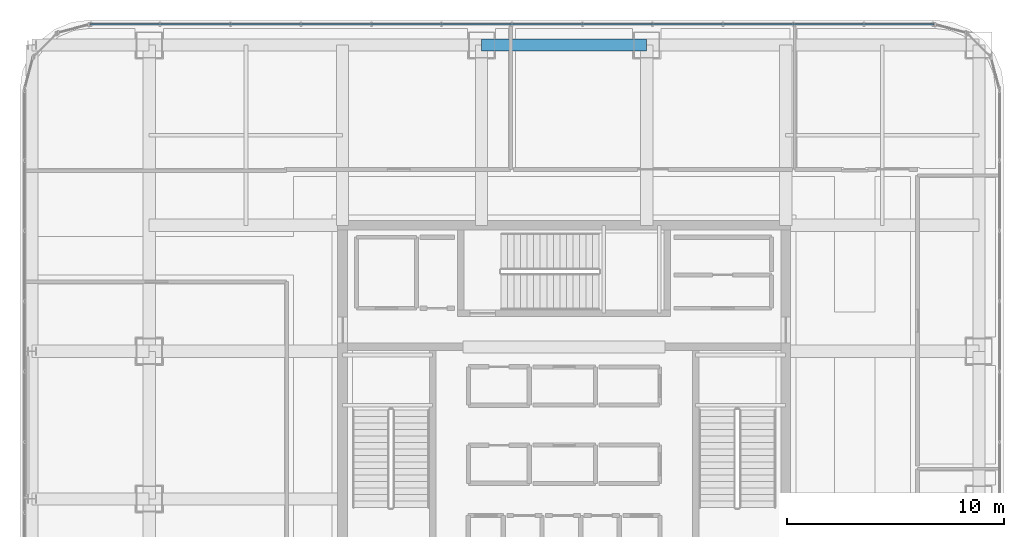
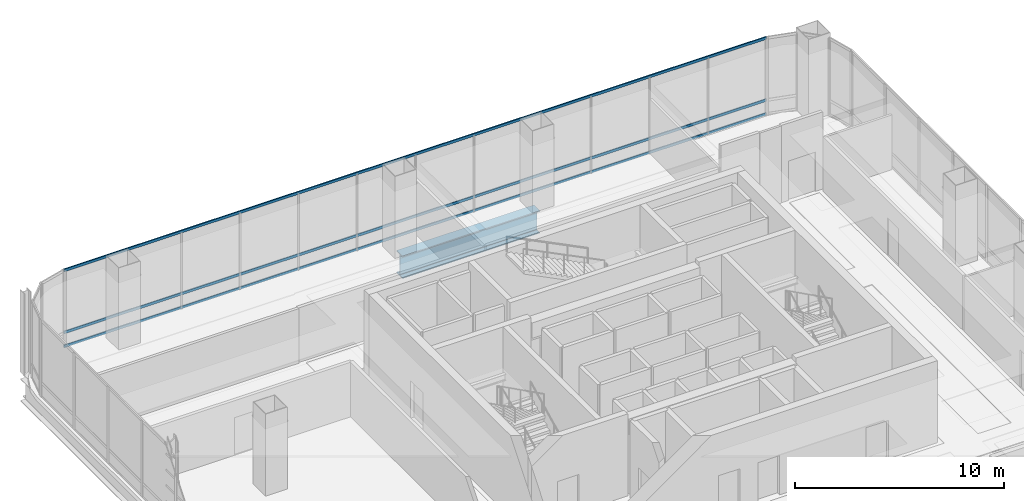
# One storey, part 28 of 45: 3 members, 1 beam, 1 element without a shape of its own.
"""IFC4 building model written with IfcOpenShell, lengths in metres."""

from ifc_helpers import new_model, si_unit, direction, frame, origin, origin_2d, place, context, subcontext, project, spatial, hollow_rectangle, i_section, extrude, material, material_profile, profile_set, type_object, element, aggregate, save


model = new_model("IFC4")

# Units and contexts
model_context = context("Model", 3, precision=1e-05, world=origin(), true_north=direction((0.0, 1.0)))
body_context = subcontext(model_context, "Body", "Model", "MODEL_VIEW")
ifc_project = project(units=[si_unit("LENGTHUNIT", "METRE"), si_unit("AREAUNIT", "SQUARE_METRE"), si_unit("VOLUMEUNIT", "CUBIC_METRE"), si_unit("PLANEANGLEUNIT", "RADIAN"), si_unit("MASSUNIT", "GRAM", prefix="KILO")], contexts=[model_context])

# Site, building, storey
site_placement = place(None, origin())
site = spatial("IfcSite", under=ifc_project, at=site_placement, CompositionType="ELEMENT")
building_placement = place(site_placement, origin())
building = spatial("IfcBuilding", under=site, at=building_placement, Name="Punatoya Terracotta Tower", CompositionType="ELEMENT")
storey_placement = place(building_placement, frame((0.0, 0.0, 339.0)))
storey = spatial("IfcBuildingStorey", under=building, at=storey_placement, Name="L80", CompositionType="ELEMENT", Elevation=339.0)

# Beam
ifc_material_1 = material(Name="Steel S460", Category="steel")
ifc_material_profile_1 = material_profile(ifc_material_1, i_section(OverallWidth=0.56005859375, OverallDepth=1.320068359375, WebThickness=0.035888671875, FlangeThickness=0.054931640625, FilletRadius=0.01806640625, at=origin_2d()))
ifc_profile_set_1 = profile_set([ifc_material_profile_1], Name="Steel S460")
beam_type = type_object("IfcBeamType", Name="BM-TG-BLK", PredefinedType="BEAM", material=ifc_profile_set_1)
beam_placement = place(storey_placement, frame((-3.800048828125, 17.5, -0.919921875), z_axis=(1.0, 0.0, 0.0), x_axis=(0.0, 1.0, 0.0)))
element("IfcBeam", 1, at=beam_placement, inside=storey, type_object=beam_type, Name="BM-L80-RG-N2", PredefinedType="BEAM", context=body_context, shape_type="SweptSolid", body=[
    extrude(i_section(OverallWidth=0.56005859375, OverallDepth=1.320068359375, WebThickness=0.035888671875, FlangeThickness=0.054931640625, FilletRadius=0.01806640625, at=origin_2d()), origin(), (0.0, 0.0, 1.0), 7.60009765625),
])

# Curtain wall, members
ifc_material_2 = material(Name="Aluminium 6063-T6 + Double Low-E Glass", Category="aluminium")
curtain_wall_type = type_object("IfcCurtainWallType", Name="CW-OBS", PredefinedType="NOTDEFINED", material=ifc_material_2)
curtain_wall_placement = place(storey_placement, origin())
curtain_wall = element("IfcCurtainWall", 2, at=curtain_wall_placement, inside=storey, type_object=curtain_wall_type, Name="L80 Curtain Wall CW-L80-N09-1", PredefinedType="NOTDEFINED")
ifc_material_3 = material(Name="Aluminium 6063-T6", Category="aluminium")
ifc_material_profile_2 = material_profile(ifc_material_3, hollow_rectangle(XDim=0.068115234375, YDim=0.14990234375, WallThickness=0.00390625, at=origin_2d()))
ifc_profile_set_2 = profile_set([ifc_material_profile_2], Name="Aluminium 6063-T6")
member_type = type_object("IfcMemberType", Name="CW-TRN-TYP", PredefinedType="USERDEFINED", material=ifc_profile_set_2)
member_1_placement = place(storey_placement, frame((17.036865234375, 18.449951171875, 0.0400390625), z_axis=(-1.0, 0.0, 0.0), x_axis=(0.0, -1.0, 0.0)))
member_1 = element("IfcMember", 3, at=member_1_placement, type_object=member_type, Name="CW-L80-N09-1 Transom 1", ObjectType="TRANSOM", PredefinedType="USERDEFINED", context=body_context, shape_type="SweptSolid", body=[
    extrude(hollow_rectangle(XDim=0.068115234375, YDim=0.14990234375, WallThickness=0.00390625, at=origin_2d()), origin(), (0.0, 0.0, 1.0), 38.873779296875),
])
member_2_placement = place(storey_placement, frame((17.036865234375, 18.449951171875, 0.85009765625), z_axis=(-1.0, 0.0, 0.0), x_axis=(0.0, -1.0, 0.0)))
member_2 = element("IfcMember", 4, at=member_2_placement, type_object=member_type, Name="CW-L80-N09-1 Transom 2", ObjectType="TRANSOM", PredefinedType="USERDEFINED", context=body_context, shape_type="SweptSolid", body=[
    extrude(hollow_rectangle(XDim=0.068115234375, YDim=0.14990234375, WallThickness=0.00390625, at=origin_2d()), origin(), (0.0, 0.0, 1.0), 38.873779296875),
])
member_3_placement = place(storey_placement, frame((17.036865234375, 18.449951171875, 4.47998046875), z_axis=(-1.0, 0.0, 0.0), x_axis=(0.0, -1.0, 0.0)))
member_3 = element("IfcMember", 5, at=member_3_placement, type_object=member_type, Name="CW-L80-N09-1 Transom 3", ObjectType="TRANSOM", PredefinedType="USERDEFINED", context=body_context, shape_type="SweptSolid", body=[
    extrude(hollow_rectangle(XDim=0.068115234375, YDim=0.14990234375, WallThickness=0.00390625, at=origin_2d()), origin(), (0.0, 0.0, 1.0), 38.873779296875),
])
aggregate(curtain_wall, [member_1, member_2, member_3])

save(model, "model.ifc")
